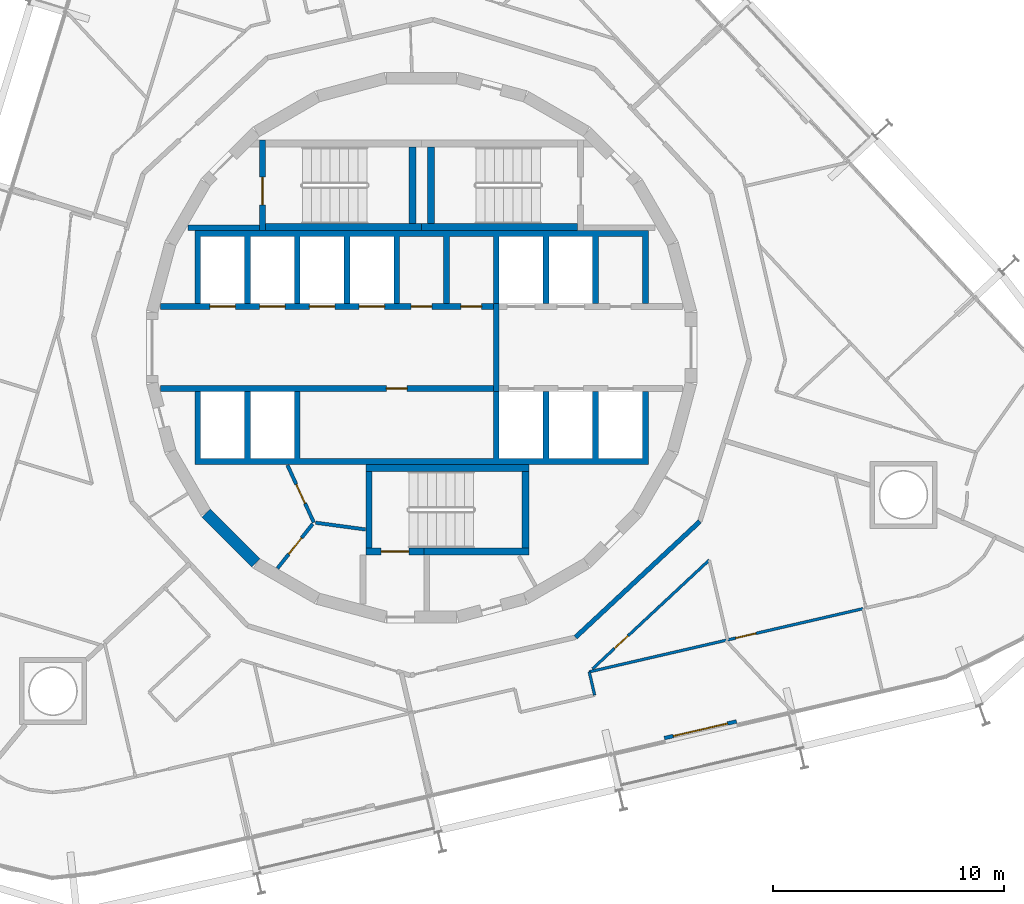
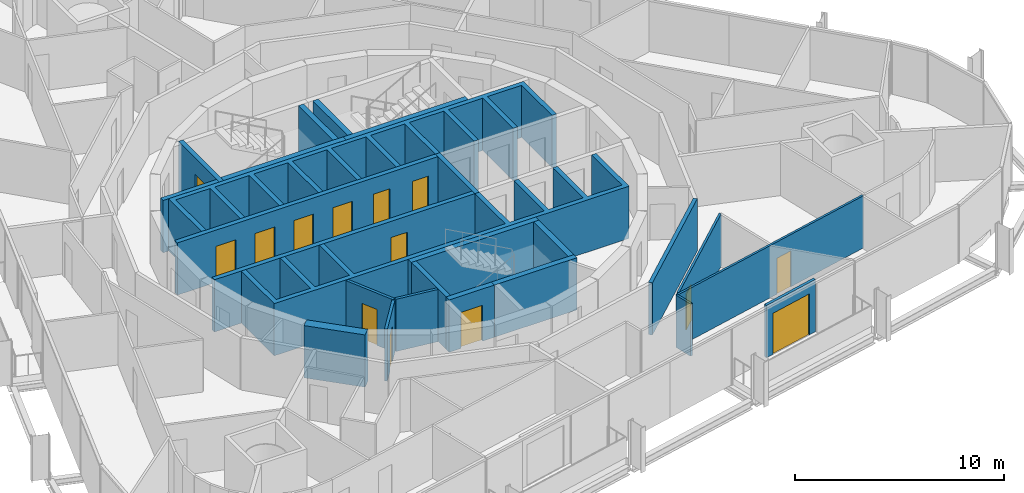
# One storey, part 13 of 18: 25 walls, 14 doors, 14 openings.
"""IFC4 building model written with IfcOpenShell, lengths in metres."""

from ifc_helpers import new_model, si_unit, direction, frame, frame_2d, origin, place, context, subcontext, project, spatial, polyline, rectangle, outline, extrude, material, layer, layer_set, type_object, element, fill, save


model = new_model("IFC4")

# Units and contexts
model_context = context("Model", 3, precision=1e-05, world=origin(), true_north=direction((0.0, 1.0)))
body_context = subcontext(model_context, "Body", "Model", "MODEL_VIEW")
ifc_project = project(units=[si_unit("LENGTHUNIT", "METRE"), si_unit("AREAUNIT", "SQUARE_METRE"), si_unit("VOLUMEUNIT", "CUBIC_METRE"), si_unit("PLANEANGLEUNIT", "RADIAN"), si_unit("MASSUNIT", "GRAM", prefix="KILO")], contexts=[model_context])

# Site, building, storey
site_placement = place(None, origin())
site = spatial("IfcSite", under=ifc_project, at=site_placement, CompositionType="ELEMENT")
building_placement = place(site_placement, origin())
building = spatial("IfcBuilding", under=site, at=building_placement, Name="Spindle Arch Residences", CompositionType="ELEMENT")
storey_placement = place(building_placement, frame((0.0, 0.0, 141.39990234375)))
storey = spatial("IfcBuildingStorey", under=building, at=storey_placement, Name="L35", CompositionType="ELEMENT", Elevation=141.39990234375)

# Walls
ifc_material_1 = material(Name="Concrete C50/60", Category="concrete")
ifc_layer_1 = layer(ifc_material_1, 0.5)
ifc_layer_set_1 = layer_set([ifc_layer_1], Name="Core outline wall 500")
wall_type_1 = type_object("IfcWallType", Name="Core outline wall 500", PredefinedType="SHEAR", material=ifc_layer_set_1)
wall_1_placement = place(storey_placement, frame((-9.30810546875, -7.163818359375, 0.0), z_axis=(0.0, 0.0, 1.0), x_axis=(0.707106781187, -0.707106781187, 0.0)))
element("IfcWall", 1, at=wall_1_placement, inside=storey, type_object=wall_type_1, Name="Core outline wall 21", PredefinedType="SHEAR", context=body_context, shape_type="SweptSolid", body=[
    extrude(rectangle(XDim=3.032470703125, YDim=0.5, at=frame_2d((1.51611328125, 0.0))), origin(), (0.0, 0.0, 1.0), 3.050048828125),
])
ifc_material_2 = material(Name="Calcium silicate block, plastered")
ifc_layer_2 = layer(ifc_material_2, 0.199951171875)
ifc_layer_set_2 = layer_set([ifc_layer_2], Name="Corridor wall 200")
wall_type_2 = type_object("IfcWallType", Name="Corridor wall 200", PredefinedType="STANDARD", material=ifc_layer_set_2)
wall_2_placement = place(storey_placement, frame((6.65869140625, -12.523193359375, 0.0), z_axis=(0.0, 0.0, 1.0), x_axis=(0.731350455479, 0.682001841105, 0.0)))
element("IfcWall", 2, at=wall_2_placement, inside=storey, type_object=wall_type_2, Name="Corridor wall R3C0-W015", PredefinedType="STANDARD", context=body_context, shape_type="SweptSolid", body=[
    extrude(rectangle(XDim=7.341796875, YDim=0.199951171875, at=frame_2d((3.6708984375, 0.0))), origin(), (0.0, 0.0, 1.0), 3.050048828125),
])
ifc_material_3 = material(Name="Concrete C40/50", Category="concrete")
ifc_layer_3 = layer(ifc_material_3, 0.25)
ifc_layer_set_3 = layer_set([ifc_layer_3], Name="Fire-lift lobby wall 250")
wall_type_3 = type_object("IfcWallType", Name="Fire-lift lobby wall 250", PredefinedType="SHEAR", material=ifc_layer_set_3)
wall_3_placement = place(storey_placement, frame((3.22509765625, -1.89990234375, 0.0), z_axis=(0.0, 0.0, 1.0), x_axis=(0.0, 1.0, 0.0)))
element("IfcWall", 3, at=wall_3_placement, inside=storey, type_object=wall_type_3, Name="Fire-fighting lobby partition", PredefinedType="SHEAR", context=body_context, shape_type="SweptSolid", body=[
    extrude(rectangle(XDim=3.7998046875, YDim=0.25, at=frame_2d((1.89990234375, 0.0))), origin(), (0.0, 0.0, 1.0), 3.050048828125),
])
ifc_material_4 = material(Name="Plasterboard on steel studs", Category="steel")
ifc_layer_4 = layer(ifc_material_4, 0.1201171875)
ifc_layer_set_4 = layer_set([ifc_layer_4], Name="Flat partition 120")
wall_type_4 = type_object("IfcWallType", Name="Flat partition 120", PredefinedType="PARTITIONING", material=ifc_layer_set_4)
wall_4_placement = place(storey_placement, frame((7.480712890625, -15.0224609375, 0.0), z_axis=(0.0, 0.0, 1.0), x_axis=(-0.225084689316, 0.974339203068, 0.0)))
element("IfcWall", 4, at=wall_4_placement, inside=storey, type_object=wall_type_4, Name="Flat partition R3C0-W104", PredefinedType="PARTITIONING", context=body_context, shape_type="SweptSolid", body=[
    extrude(rectangle(XDim=1.029296875, YDim=0.1201171875, at=frame_2d((0.5146484375, 0.0))), origin(), (0.0, 0.0, 1.0), 3.050048828125),
])

# Wall, opening, door
wall_5_placement = place(storey_placement, frame((7.3876953125, -13.894287109375, 0.0), z_axis=(0.0, 0.0, 1.0), x_axis=(0.731339966659, 0.682013088707, 0.0)))
wall_5 = element("IfcWall", 5, at=wall_5_placement, inside=storey, type_object=wall_type_4, Name="Flat partition R3C0-W105", PredefinedType="PARTITIONING", context=body_context, shape_type="SweptSolid", body=[
    extrude(rectangle(XDim=6.8994140625, YDim=0.1201171875, at=frame_2d((3.44970703125, 0.0))), origin(), (0.0, 0.0, 1.0), 3.050048828125),
])
opening_1_placement = place(wall_5_placement, frame((1.300048828125, 0.0, 0.0)))
opening_1 = element("IfcOpeningElement", 6, at=opening_1_placement, cuts=wall_5, Name="Opening R3C0-BD06", PredefinedType="OPENING", context=body_context, shape_type="SweptSolid", body=[
    extrude(rectangle(XDim=0.800048828125, YDim=2.10009765625, at=frame_2d((0.39990234375, 1.050048828125))), frame((0.0, 0.070068359375, 0.0), z_axis=(0.0, -1.0, 0.0), x_axis=(1.0, 0.0, 0.0)), (0.0, 0.0, 1.0), 0.14013671875),
])
ifc_material_5 = material(Name="Timber door set", Category="wood")
door_type_1 = type_object("IfcDoorType", Name="Bathroom door 800x2100", OperationType="NOTDEFINED", PredefinedType="DOOR", material=ifc_material_5)
door_1_placement = place(opening_1_placement, origin())
door_1 = element("IfcDoor", 7, at=door_1_placement, inside=storey, type_object=door_type_1, Name="Bathroom door R3C0-BD06", OperationType="SINGLE_SWING_RIGHT", OverallHeight=2.10009765625, OverallWidth=0.800048828125, PredefinedType="DOOR", context=body_context, shape_type="SweptSolid", body=[
    extrude(rectangle(XDim=0.800048828125, YDim=2.10009765625, at=frame_2d((0.39990234375, 1.050048828125))), frame((0.0, 0.02490234375, 0.0), z_axis=(0.0, -1.0, 0.0), x_axis=(1.0, 0.0, 0.0)), (0.0, 0.0, 1.0), 0.050048828125),
])
fill(opening_1, door_1)

wall_6_placement = place(storey_placement, frame((7.2490234375, -14.01953125, 0.0), z_axis=(0.0, 0.0, 1.0), x_axis=(0.974369514697, 0.224953437023, 0.0)))
wall_6 = element("IfcWall", 8, at=wall_6_placement, inside=storey, type_object=wall_type_4, Name="Flat partition R3C0-W107", PredefinedType="PARTITIONING", context=body_context, shape_type="SweptSolid", body=[
    extrude(rectangle(XDim=12.148681640625, YDim=0.1201171875, at=frame_2d((6.07421875, 0.0))), origin(), (0.0, 0.0, 1.0), 3.050048828125),
])
opening_2_placement = place(wall_6_placement, frame((6.498291015625, 0.0, 0.0)))
opening_2 = element("IfcOpeningElement", 9, at=opening_2_placement, cuts=wall_6, Name="Opening R3C0-ID28", PredefinedType="OPENING", context=body_context, shape_type="SweptSolid", body=[
    extrude(rectangle(XDim=0.89990234375, YDim=2.10009765625, at=frame_2d((0.449951171875, 1.050048828125))), frame((0.0, 0.070068359375, 0.0), z_axis=(0.0, -1.0, 0.0), x_axis=(1.0, 0.0, 0.0)), (0.0, 0.0, 1.0), 0.14013671875),
])
ifc_material_6 = material(Name="Timber door set", Category="wood")
door_type_2 = type_object("IfcDoorType", Name="Room door 900x2100", OperationType="NOTDEFINED", PredefinedType="DOOR", material=ifc_material_6)
door_2_placement = place(opening_2_placement, origin())
door_2 = element("IfcDoor", 10, at=door_2_placement, inside=storey, type_object=door_type_2, Name="Room door R3C0-ID28", OperationType="SINGLE_SWING_RIGHT", OverallHeight=2.10009765625, OverallWidth=0.89990234375, PredefinedType="DOOR", context=body_context, shape_type="SweptSolid", body=[
    extrude(rectangle(XDim=0.89990234375, YDim=2.10009765625, at=frame_2d((0.449951171875, 1.050048828125))), frame((0.0, 0.02490234375, 0.0), z_axis=(0.0, -1.0, 0.0), x_axis=(1.0, 0.0, 0.0)), (0.0, 0.0, 1.0), 0.050048828125),
])
fill(opening_2, door_2)

ifc_material_7 = material(Name="Non-combustible mineral wool insulated aluminium faced external wall (K0)", Category="aluminium")
ifc_layer_5 = layer(ifc_material_7, 0.159912109375)
ifc_layer_set_5 = layer_set([ifc_layer_5], Name="Insulated external wall panel 160")
wall_type_5 = type_object("IfcWallType", Name="Insulated external wall panel 160", PredefinedType="STANDARD", material=ifc_layer_set_5)
wall_7_placement = place(storey_placement, frame((10.495849609375, -16.882568359375, 0.0), z_axis=(0.0, 0.0, 1.0), x_axis=(0.974364187477, 0.224976510247, 0.0)))
wall_7 = element("IfcWall", 11, at=wall_7_placement, inside=storey, type_object=wall_type_5, Name="External wall L35 bay 1", PredefinedType="STANDARD", context=body_context, shape_type="SweptSolid", body=[
    extrude(rectangle(XDim=3.2001953125, YDim=0.159912109375, at=frame_2d((1.60009765625, 0.0))), origin(), (0.0, 0.0, 1.0), 3.050048828125),
])
opening_3_placement = place(wall_7_placement, frame((0.39990234375, 0.0, 0.0)))
opening_3 = element("IfcOpeningElement", 12, at=opening_3_placement, cuts=wall_7, Name="Opening BD01", PredefinedType="OPENING", context=body_context, shape_type="SweptSolid", body=[
    extrude(rectangle(XDim=2.39990234375, YDim=2.39990234375, at=frame_2d((1.199951171875, 1.199951171875))), frame((0.0, 0.08984375, 0.0), z_axis=(0.0, -1.0, 0.0), x_axis=(1.0, 0.0, 0.0)), (0.0, 0.0, 1.0), 0.179931640625),
])
ifc_material_8 = material(Name="Bronze aluminium frame, tinted double glazing", Category="aluminium")
door_type_3 = type_object("IfcDoorType", Name="Sliding glazed balcony door 2400x2400", OperationType="DOUBLE_DOOR_SLIDING", PredefinedType="DOOR", material=ifc_material_8)
door_3_placement = place(opening_3_placement, origin())
door_3 = element("IfcDoor", 13, at=door_3_placement, inside=storey, type_object=door_type_3, Name="Balcony door BD01", OperationType="DOUBLE_DOOR_SLIDING", OverallHeight=2.39990234375, OverallWidth=2.39990234375, PredefinedType="DOOR", context=body_context, shape_type="SweptSolid", body=[
    extrude(rectangle(XDim=2.39990234375, YDim=2.39990234375, at=frame_2d((1.199951171875, 1.199951171875))), frame((0.0, 0.02490234375, 0.0), z_axis=(0.0, -1.0, 0.0), x_axis=(1.0, 0.0, 0.0)), (0.0, 0.0, 1.0), 0.050048828125),
])
fill(opening_3, door_3)

# Wall, openings, doors
ifc_material_9 = material(Name="Concrete C50/60", Category="concrete")
ifc_layer_6 = layer(ifc_material_9, 0.25)
ifc_layer_set_6 = layer_set([ifc_layer_6], Name="Lift shaft wall 250")
wall_type_6 = type_object("IfcWallType", Name="Lift shaft wall 250", PredefinedType="SHEAR", material=ifc_layer_set_6)
wall_8_placement = place(storey_placement, frame((-11.280029296875, 1.77490234375, 0.0), z_axis=(0.0, 0.0, 1.0), x_axis=(1.0, 0.0, 0.0)))
wall_8 = element("IfcWall", 14, at=wall_8_placement, inside=storey, type_object=wall_type_6, Name="Lift shaft front wall NW", PredefinedType="SHEAR", context=body_context, shape_type="SweptSolid", body=[
    extrude(rectangle(XDim=14.380126953125, YDim=0.25, at=frame_2d((7.18994140625, 0.0))), origin(), (0.0, 0.0, 1.0), 3.050048828125),
])
opening_4_placement = place(wall_8_placement, frame((2.1298828125, 0.0, 0.0)))
opening_4 = element("IfcOpeningElement", 15, at=opening_4_placement, cuts=wall_8, Name="Opening R3C0-LD01", PredefinedType="OPENING", context=body_context, shape_type="SweptSolid", body=[
    extrude(rectangle(XDim=1.10009765625, YDim=2.10009765625, at=frame_2d((0.550048828125, 1.050048828125))), frame((0.0, 0.135009765625, 0.0), z_axis=(0.0, -1.0, 0.0), x_axis=(1.0, 0.0, 0.0)), (0.0, 0.0, 1.0), 0.27001953125),
])
opening_5_placement = place(wall_8_placement, frame((4.280029296875, 0.0, 0.0)))
opening_5 = element("IfcOpeningElement", 16, at=opening_5_placement, cuts=wall_8, Name="Opening R3C0-LD02", PredefinedType="OPENING", context=body_context, shape_type="SweptSolid", body=[
    extrude(rectangle(XDim=1.10009765625, YDim=2.10009765625, at=frame_2d((0.550048828125, 1.050048828125))), frame((0.0, 0.135009765625, 0.0), z_axis=(0.0, -1.0, 0.0), x_axis=(1.0, 0.0, 0.0)), (0.0, 0.0, 1.0), 0.27001953125),
])
opening_6_placement = place(wall_8_placement, frame((6.429931640625, 0.0, 0.0)))
opening_6 = element("IfcOpeningElement", 17, at=opening_6_placement, cuts=wall_8, Name="Opening R3C0-LD03", PredefinedType="OPENING", context=body_context, shape_type="SweptSolid", body=[
    extrude(rectangle(XDim=1.10009765625, YDim=2.10009765625, at=frame_2d((0.550048828125, 1.050048828125))), frame((0.0, 0.135009765625, 0.0), z_axis=(0.0, -1.0, 0.0), x_axis=(1.0, 0.0, 0.0)), (0.0, 0.0, 1.0), 0.27001953125),
])
opening_7_placement = place(wall_8_placement, frame((8.580078125, 0.0, 0.0)))
opening_7 = element("IfcOpeningElement", 18, at=opening_7_placement, cuts=wall_8, Name="Opening R3C0-LD04", PredefinedType="OPENING", context=body_context, shape_type="SweptSolid", body=[
    extrude(rectangle(XDim=1.10009765625, YDim=2.10009765625, at=frame_2d((0.550048828125, 1.050048828125))), frame((0.0, 0.135009765625, 0.0), z_axis=(0.0, -1.0, 0.0), x_axis=(1.0, 0.0, 0.0)), (0.0, 0.0, 1.0), 0.27001953125),
])
opening_8_placement = place(wall_8_placement, frame((10.830078125, 0.0, 0.0)))
opening_8 = element("IfcOpeningElement", 19, at=opening_8_placement, cuts=wall_8, Name="Opening R3C0-WD01", PredefinedType="OPENING", context=body_context, shape_type="SweptSolid", body=[
    extrude(rectangle(XDim=0.89990234375, YDim=2.10009765625, at=frame_2d((0.449951171875, 1.050048828125))), frame((0.0, 0.135009765625, 0.0), z_axis=(0.0, -1.0, 0.0), x_axis=(1.0, 0.0, 0.0)), (0.0, 0.0, 1.0), 0.27001953125),
])
opening_9_placement = place(wall_8_placement, frame((12.97998046875, 0.0, 0.0)))
opening_9 = element("IfcOpeningElement", 20, at=opening_9_placement, cuts=wall_8, Name="Opening R3C0-WD02", PredefinedType="OPENING", context=body_context, shape_type="SweptSolid", body=[
    extrude(rectangle(XDim=0.89990234375, YDim=2.10009765625, at=frame_2d((0.449951171875, 1.050048828125))), frame((0.0, 0.135009765625, 0.0), z_axis=(0.0, -1.0, 0.0), x_axis=(1.0, 0.0, 0.0)), (0.0, 0.0, 1.0), 0.27001953125),
])
ifc_material_10 = material(Name="Steel, fire-resisting landing door", Category="steel")
door_type_4 = type_object("IfcDoorType", Name="Lift landing door 1100x2100", OperationType="DOUBLE_DOOR_SLIDING", PredefinedType="DOOR", material=ifc_material_10)
door_4_placement = place(opening_4_placement, origin())
door_4 = element("IfcDoor", 21, at=door_4_placement, inside=storey, type_object=door_type_4, Name="Lift landing door R3C0-LD01", OperationType="DOUBLE_DOOR_SLIDING", OverallHeight=2.10009765625, OverallWidth=1.10009765625, PredefinedType="DOOR", context=body_context, shape_type="SweptSolid", body=[
    extrude(rectangle(XDim=1.10009765625, YDim=2.10009765625, at=frame_2d((0.550048828125, 1.050048828125))), frame((0.0, 0.02490234375, 0.0), z_axis=(0.0, -1.0, 0.0), x_axis=(1.0, 0.0, 0.0)), (0.0, 0.0, 1.0), 0.050048828125),
])
fill(opening_4, door_4)
door_5_placement = place(opening_5_placement, origin())
door_5 = element("IfcDoor", 22, at=door_5_placement, inside=storey, type_object=door_type_4, Name="Lift landing door R3C0-LD02", OperationType="DOUBLE_DOOR_SLIDING", OverallHeight=2.10009765625, OverallWidth=1.10009765625, PredefinedType="DOOR", context=body_context, shape_type="SweptSolid", body=[
    extrude(rectangle(XDim=1.10009765625, YDim=2.10009765625, at=frame_2d((0.550048828125, 1.050048828125))), frame((0.0, 0.02490234375, 0.0), z_axis=(0.0, -1.0, 0.0), x_axis=(1.0, 0.0, 0.0)), (0.0, 0.0, 1.0), 0.050048828125),
])
fill(opening_5, door_5)
door_6_placement = place(opening_6_placement, origin())
door_6 = element("IfcDoor", 23, at=door_6_placement, inside=storey, type_object=door_type_4, Name="Lift landing door R3C0-LD03", OperationType="DOUBLE_DOOR_SLIDING", OverallHeight=2.10009765625, OverallWidth=1.10009765625, PredefinedType="DOOR", context=body_context, shape_type="SweptSolid", body=[
    extrude(rectangle(XDim=1.10009765625, YDim=2.10009765625, at=frame_2d((0.550048828125, 1.050048828125))), frame((0.0, 0.02490234375, 0.0), z_axis=(0.0, -1.0, 0.0), x_axis=(1.0, 0.0, 0.0)), (0.0, 0.0, 1.0), 0.050048828125),
])
fill(opening_6, door_6)
door_7_placement = place(opening_7_placement, origin())
door_7 = element("IfcDoor", 24, at=door_7_placement, inside=storey, type_object=door_type_4, Name="Lift landing door R3C0-LD04", OperationType="DOUBLE_DOOR_SLIDING", OverallHeight=2.10009765625, OverallWidth=1.10009765625, PredefinedType="DOOR", context=body_context, shape_type="SweptSolid", body=[
    extrude(rectangle(XDim=1.10009765625, YDim=2.10009765625, at=frame_2d((0.550048828125, 1.050048828125))), frame((0.0, 0.02490234375, 0.0), z_axis=(0.0, -1.0, 0.0), x_axis=(1.0, 0.0, 0.0)), (0.0, 0.0, 1.0), 0.050048828125),
])
fill(opening_7, door_7)
ifc_material_11 = material(Name="Steel, fire-resisting door", Category="steel")
door_type_5 = type_object("IfcDoorType", Name="Service room door 900x2100", OperationType="SINGLE_SWING_LEFT", PredefinedType="DOOR", material=ifc_material_11)
door_8_placement = place(opening_8_placement, origin())
door_8 = element("IfcDoor", 25, at=door_8_placement, inside=storey, type_object=door_type_5, Name="Service room door R3C0-WD01", OperationType="SINGLE_SWING_RIGHT", OverallHeight=2.10009765625, OverallWidth=0.89990234375, PredefinedType="DOOR", context=body_context, shape_type="SweptSolid", body=[
    extrude(rectangle(XDim=0.89990234375, YDim=2.10009765625, at=frame_2d((0.449951171875, 1.050048828125))), frame((0.0, 0.02490234375, 0.0), z_axis=(0.0, -1.0, 0.0), x_axis=(1.0, 0.0, 0.0)), (0.0, 0.0, 1.0), 0.050048828125),
])
fill(opening_8, door_8)
door_9_placement = place(opening_9_placement, origin())
door_9 = element("IfcDoor", 26, at=door_9_placement, inside=storey, type_object=door_type_5, Name="Service room door R3C0-WD02", OperationType="SINGLE_SWING_LEFT", OverallHeight=2.10009765625, OverallWidth=0.89990234375, PredefinedType="DOOR", context=body_context, shape_type="SweptSolid", body=[
    extrude(rectangle(XDim=0.89990234375, YDim=2.10009765625, at=frame_2d((0.449951171875, 1.050048828125))), frame((0.0, 0.02490234375, 0.0), z_axis=(0.0, -1.0, 0.0), x_axis=(1.0, 0.0, 0.0)), (0.0, 0.0, 1.0), 0.050048828125),
])
fill(opening_9, door_9)

# Wall, opening, door
wall_9_placement = place(storey_placement, frame((-11.280029296875, -1.77490234375, 0.0), z_axis=(0.0, 0.0, 1.0), x_axis=(1.0, 0.0, 0.0)))
wall_9 = element("IfcWall", 27, at=wall_9_placement, inside=storey, type_object=wall_type_6, Name="Lift shaft front wall SW", PredefinedType="SHEAR", context=body_context, shape_type="SweptSolid", body=[
    extrude(rectangle(XDim=14.380126953125, YDim=0.25, at=frame_2d((7.18994140625, 0.0))), origin(), (0.0, 0.0, 1.0), 3.050048828125),
])
opening_10_placement = place(wall_9_placement, frame((9.7548828125, 0.0, 0.0)))
opening_10 = element("IfcOpeningElement", 28, at=opening_10_placement, cuts=wall_9, Name="Opening R3C0-WD04", PredefinedType="OPENING", context=body_context, shape_type="SweptSolid", body=[
    extrude(rectangle(XDim=0.89990234375, YDim=2.10009765625, at=frame_2d((0.449951171875, 1.050048828125))), frame((0.0, 0.135009765625, 0.0), z_axis=(0.0, -1.0, 0.0), x_axis=(1.0, 0.0, 0.0)), (0.0, 0.0, 1.0), 0.27001953125),
])
door_10_placement = place(opening_10_placement, origin())
door_10 = element("IfcDoor", 29, at=door_10_placement, inside=storey, type_object=door_type_5, Name="Service room door R3C0-WD04", OperationType="SINGLE_SWING_LEFT", OverallHeight=2.10009765625, OverallWidth=0.89990234375, PredefinedType="DOOR", context=body_context, shape_type="SweptSolid", body=[
    extrude(rectangle(XDim=0.89990234375, YDim=2.10009765625, at=frame_2d((0.449951171875, 1.050048828125))), frame((0.0, 0.02490234375, 0.0), z_axis=(0.0, -1.0, 0.0), x_axis=(1.0, 0.0, 0.0)), (0.0, 0.0, 1.0), 0.050048828125),
])
fill(opening_10, door_10)

# Walls
ifc_material_12 = material(Name="Concrete C50/60", Category="concrete")
wall_type_7 = type_object("IfcWallType", Name="Lift shaft wall profile", PredefinedType="SHEAR", material=ifc_material_12)
wall_10_placement = place(storey_placement, origin())
element("IfcWall", 30, at=wall_10_placement, inside=storey, type_object=wall_type_7, Name="Lift shaft walls N", PredefinedType="SHEAR", context=body_context, shape_type="SweptSolid", body=[
    extrude(outline(polyline([(-9.550048828125, 4.800048828125), (-7.64990234375, 4.800048828125), (-7.64990234375, 1.89990234375), (-7.39990234375, 1.89990234375), (-7.39990234375, 4.800048828125), (-5.5, 4.800048828125), (-5.5, 1.89990234375), (-5.25, 1.89990234375), (-5.25, 4.800048828125), (-3.35009765625, 4.800048828125), (-3.35009765625, 1.89990234375), (-3.10009765625, 1.89990234375), (-3.10009765625, 4.800048828125), (-1.199951171875, 4.800048828125), (-1.199951171875, 1.89990234375), (-0.949951171875, 1.89990234375), (-0.949951171875, 4.800048828125), (0.949951171875, 4.800048828125), (0.949951171875, 1.89990234375), (1.199951171875, 1.89990234375), (1.199951171875, 4.800048828125), (3.10009765625, 4.800048828125), (3.10009765625, 1.89990234375), (3.35009765625, 1.89990234375), (3.35009765625, 4.800048828125), (5.25, 4.800048828125), (5.25, 1.89990234375), (5.5, 1.89990234375), (5.5, 4.800048828125), (7.39990234375, 4.800048828125), (7.39990234375, 1.89990234375), (7.64990234375, 1.89990234375), (7.64990234375, 4.800048828125), (9.550048828125, 4.800048828125), (9.550048828125, 1.89990234375), (9.800048828125, 1.89990234375), (9.800048828125, 4.800048828125), (9.800048828125, 5.050048828125), (-9.800048828125, 5.050048828125), (-9.800048828125, 4.800048828125), (-9.800048828125, 1.89990234375), (-9.550048828125, 1.89990234375), (-9.550048828125, 4.800048828125)])), origin(), (0.0, 0.0, 1.0), 3.050048828125),
])
wall_11_placement = place(storey_placement, origin())
element("IfcWall", 31, at=wall_11_placement, inside=storey, type_object=wall_type_7, Name="Lift shaft walls S", PredefinedType="SHEAR", context=body_context, shape_type="SweptSolid", body=[
    extrude(outline(polyline([(9.800048828125, -5.050048828125), (9.800048828125, -4.800048828125), (9.800048828125, -1.89990234375), (9.550048828125, -1.89990234375), (9.550048828125, -4.800048828125), (7.64990234375, -4.800048828125), (7.64990234375, -1.89990234375), (7.39990234375, -1.89990234375), (7.39990234375, -4.800048828125), (5.5, -4.800048828125), (5.5, -1.89990234375), (5.25, -1.89990234375), (5.25, -4.800048828125), (3.35009765625, -4.800048828125), (3.35009765625, -1.89990234375), (3.10009765625, -1.89990234375), (3.10009765625, -4.800048828125), (-5.25, -4.800048828125), (-5.25, -1.89990234375), (-5.5, -1.89990234375), (-5.5, -4.800048828125), (-7.39990234375, -4.800048828125), (-7.39990234375, -1.89990234375), (-7.64990234375, -1.89990234375), (-7.64990234375, -4.800048828125), (-9.550048828125, -4.800048828125), (-9.550048828125, -1.89990234375), (-9.800048828125, -1.89990234375), (-9.800048828125, -4.800048828125), (-9.800048828125, -5.050048828125), (9.800048828125, -5.050048828125)])), origin(), (0.0, 0.0, 1.0), 3.050048828125),
])

# Wall, opening, door
ifc_material_13 = material(Name="Concrete C25/30", Category="concrete")
ifc_layer_7 = layer(ifc_material_13, 0.14990234375)
ifc_layer_set_7 = layer_set([ifc_layer_7], Name="Service room partition 150")
wall_type_8 = type_object("IfcWallType", Name="Service room partition 150", PredefinedType="PARTITIONING", material=ifc_layer_set_7)
wall_12_placement = place(storey_placement, frame((-5.794921875, -5.086181640625, 0.0), z_axis=(0.0, 0.0, 1.0), x_axis=(0.417887867606, -0.908498613157, 0.0)))
wall_12 = element("IfcWall", 32, at=wall_12_placement, inside=storey, type_object=wall_type_8, Name="Core service room partition", PredefinedType="PARTITIONING", context=body_context, shape_type="SweptSolid", body=[
    extrude(rectangle(XDim=2.72607421875, YDim=0.14990234375, at=frame_2d((1.363037109375, 0.0))), origin(), (0.0, 0.0, 1.0), 3.050048828125),
])
opening_11_placement = place(wall_12_placement, frame((0.912841796875, 0.0, 0.0)))
opening_11 = element("IfcOpeningElement", 33, at=opening_11_placement, cuts=wall_12, Name="Opening R3C0-WD05", PredefinedType="OPENING", context=body_context, shape_type="SweptSolid", body=[
    extrude(rectangle(XDim=0.89990234375, YDim=2.10009765625, at=frame_2d((0.449951171875, 1.050048828125))), frame((0.0, 0.0849609375, 0.0), z_axis=(0.0, -1.0, 0.0), x_axis=(1.0, 0.0, 0.0)), (0.0, 0.0, 1.0), 0.169921875),
])
door_11_placement = place(opening_11_placement, origin())
door_11 = element("IfcDoor", 34, at=door_11_placement, inside=storey, type_object=door_type_5, Name="Service room door R3C0-WD05", OperationType="SINGLE_SWING_RIGHT", OverallHeight=2.10009765625, OverallWidth=0.89990234375, PredefinedType="DOOR", context=body_context, shape_type="SweptSolid", body=[
    extrude(rectangle(XDim=0.89990234375, YDim=2.10009765625, at=frame_2d((0.449951171875, 1.050048828125))), frame((0.0, 0.02490234375, 0.0), z_axis=(0.0, -1.0, 0.0), x_axis=(1.0, 0.0, 0.0)), (0.0, 0.0, 1.0), 0.050048828125),
])
fill(opening_11, door_11)

wall_13_placement = place(storey_placement, frame((-4.70556640625, -7.62548828125, 0.0), z_axis=(0.0, 0.0, 1.0), x_axis=(-0.621392599334, -0.783499353856, 0.0)))
wall_13 = element("IfcWall", 35, at=wall_13_placement, inside=storey, type_object=wall_type_8, Name="Core service room partition", PredefinedType="PARTITIONING", context=body_context, shape_type="SweptSolid", body=[
    extrude(rectangle(XDim=2.447265625, YDim=0.14990234375, at=frame_2d((1.2236328125, 0.0))), origin(), (0.0, 0.0, 1.0), 3.050048828125),
])
opening_12_placement = place(wall_13_placement, frame((0.773681640625, 0.0, 0.0)))
opening_12 = element("IfcOpeningElement", 36, at=opening_12_placement, cuts=wall_13, Name="Opening R3C0-WD06", PredefinedType="OPENING", context=body_context, shape_type="SweptSolid", body=[
    extrude(rectangle(XDim=0.89990234375, YDim=2.10009765625, at=frame_2d((0.449951171875, 1.050048828125))), frame((0.0, 0.0849609375, 0.0), z_axis=(0.0, -1.0, 0.0), x_axis=(1.0, 0.0, 0.0)), (0.0, 0.0, 1.0), 0.169921875),
])
door_12_placement = place(opening_12_placement, origin())
door_12 = element("IfcDoor", 37, at=door_12_placement, inside=storey, type_object=door_type_5, Name="Service room door R3C0-WD06", OperationType="SINGLE_SWING_LEFT", OverallHeight=2.10009765625, OverallWidth=0.89990234375, PredefinedType="DOOR", context=body_context, shape_type="SweptSolid", body=[
    extrude(rectangle(XDim=0.89990234375, YDim=2.10009765625, at=frame_2d((0.449951171875, 1.050048828125))), frame((0.0, 0.02490234375, 0.0), z_axis=(0.0, -1.0, 0.0), x_axis=(1.0, 0.0, 0.0)), (0.0, 0.0, 1.0), 0.050048828125),
])
fill(opening_12, door_12)

# Walls
wall_14_placement = place(storey_placement, frame((-2.419921875, -7.865234375, 0.0), z_axis=(0.0, 0.0, 1.0), x_axis=(-0.990972299108, 0.134066783362, 0.0)))
element("IfcWall", 38, at=wall_14_placement, inside=storey, type_object=wall_type_8, Name="Core service room partition", PredefinedType="PARTITIONING", context=body_context, shape_type="SweptSolid", body=[
    extrude(rectangle(XDim=2.176025390625, YDim=0.14990234375, at=frame_2d((1.087890625, 0.0))), origin(), (0.0, 0.0, 1.0), 3.050048828125),
])
ifc_material_14 = material(Name="Concrete C40/50", Category="concrete")
ifc_layer_8 = layer(ifc_material_14, 0.25)
ifc_layer_set_8 = layer_set([ifc_layer_8], Name="Stair airlock wall 250")
wall_type_9 = type_object("IfcWallType", Name="Stair airlock wall 250", PredefinedType="SHEAR", material=ifc_layer_set_8)
wall_15_placement = place(storey_placement, frame((-7.0, 5.175048828125, 0.0), z_axis=(0.0, 0.0, 1.0), x_axis=(-1.0, 0.0, 0.0)))
element("IfcWall", 39, at=wall_15_placement, inside=storey, type_object=wall_type_9, Name="Stair ST-2 airlock wall S", PredefinedType="SHEAR", context=body_context, shape_type="SweptSolid", body=[
    extrude(rectangle(XDim=3.10009765625, YDim=0.25, at=frame_2d((1.550048828125, 0.0))), origin(), (0.0, 0.0, 1.0), 3.050048828125),
])

# Wall, opening, door
ifc_material_15 = material(Name="Concrete C50/60", Category="concrete")
ifc_layer_9 = layer(ifc_material_15, 0.25)
ifc_layer_set_9 = layer_set([ifc_layer_9], Name="Stair enclosure wall 250")
wall_type_10 = type_object("IfcWallType", Name="Stair enclosure wall 250", PredefinedType="SHEAR", material=ifc_layer_set_9)
wall_16_placement = place(storey_placement, frame((-6.875, 8.969970703125, 0.0), z_axis=(0.0, 0.0, 1.0), x_axis=(0.0, -1.0, 0.0)))
wall_16 = element("IfcWall", 40, at=wall_16_placement, inside=storey, type_object=wall_type_10, Name="Stair ST-2 door wall", PredefinedType="SHEAR", context=body_context, shape_type="SweptSolid", body=[
    extrude(rectangle(XDim=3.919921875, YDim=0.25, at=frame_2d((1.9599609375, 0.0))), origin(), (0.0, 0.0, 1.0), 3.050048828125),
])
opening_13_placement = place(wall_16_placement, frame((1.610107421875, 0.0, 0.0)))
opening_13 = element("IfcOpeningElement", 41, at=opening_13_placement, cuts=wall_16, Name="Opening R3C0-SD02", PredefinedType="OPENING", context=body_context, shape_type="SweptSolid", body=[
    extrude(rectangle(XDim=1.199951171875, YDim=2.10009765625, at=frame_2d((0.60009765625, 1.050048828125))), frame((0.0, 0.135009765625, 0.0), z_axis=(0.0, -1.0, 0.0), x_axis=(1.0, 0.0, 0.0)), (0.0, 0.0, 1.0), 0.27001953125),
])
ifc_material_16 = material(Name="Steel, fire-resisting door", Category="steel")
door_type_6 = type_object("IfcDoorType", Name="Stair door 1200x2100", OperationType="SINGLE_SWING_RIGHT", PredefinedType="DOOR", material=ifc_material_16)
door_13_placement = place(opening_13_placement, origin())
door_13 = element("IfcDoor", 42, at=door_13_placement, inside=storey, type_object=door_type_6, Name="Stair door R3C0-SD02", OperationType="SINGLE_SWING_LEFT", OverallHeight=2.10009765625, OverallWidth=1.199951171875, PredefinedType="DOOR", context=body_context, shape_type="SweptSolid", body=[
    extrude(rectangle(XDim=1.199951171875, YDim=2.10009765625, at=frame_2d((0.60009765625, 1.050048828125))), frame((0.0, 0.02490234375, 0.0), z_axis=(0.0, -1.0, 0.0), x_axis=(1.0, 0.0, 0.0)), (0.0, 0.0, 1.0), 0.050048828125),
])
fill(opening_13, door_13)

# Walls
wall_17_placement = place(storey_placement, frame((-2.27490234375, -8.669921875, 0.0), z_axis=(0.0, 0.0, 1.0), x_axis=(0.0, 1.0, 0.0)))
element("IfcWall", 43, at=wall_17_placement, inside=storey, type_object=wall_type_10, Name="Stair ST-3 enclosure wall W", PredefinedType="SHEAR", context=body_context, shape_type="SweptSolid", body=[
    extrude(rectangle(XDim=3.31982421875, YDim=0.25, at=frame_2d((1.659912109375, 0.0))), origin(), (0.0, 0.0, 1.0), 3.050048828125),
])
ifc_material_17 = material(Name="Concrete C50/60", Category="concrete")
ifc_layer_10 = layer(ifc_material_17, 0.300048828125)
ifc_layer_set_10 = layer_set([ifc_layer_10], Name="Stair enclosure wall 300")
wall_type_11 = type_object("IfcWallType", Name="Stair enclosure wall 300", PredefinedType="SHEAR", material=ifc_layer_set_10)
wall_18_placement = place(storey_placement, frame((0.0, 5.199951171875, 0.0), z_axis=(0.0, 0.0, 1.0), x_axis=(1.0, 0.0, 0.0)))
element("IfcWall", 44, at=wall_18_placement, inside=storey, type_object=wall_type_11, Name="Stair ST-1 enclosure wall S", PredefinedType="SHEAR", context=body_context, shape_type="SweptSolid", body=[
    extrude(rectangle(XDim=6.75, YDim=0.300048828125, at=frame_2d((3.375, 0.0))), origin(), (0.0, 0.0, 1.0), 3.050048828125),
])
wall_19_placement = place(storey_placement, frame((0.39990234375, 5.35009765625, 0.0), z_axis=(0.0, 0.0, 1.0), x_axis=(0.0, 1.0, 0.0)))
element("IfcWall", 45, at=wall_19_placement, inside=storey, type_object=wall_type_11, Name="Stair ST-1 enclosure wall F", PredefinedType="SHEAR", context=body_context, shape_type="SweptSolid", body=[
    extrude(rectangle(XDim=3.31982421875, YDim=0.300048828125, at=frame_2d((1.659912109375, 0.0))), origin(), (0.0, 0.0, 1.0), 3.050048828125),
])
wall_20_placement = place(storey_placement, frame((-6.75, 5.199951171875, 0.0), z_axis=(0.0, 0.0, 1.0), x_axis=(1.0, 0.0, 0.0)))
element("IfcWall", 46, at=wall_20_placement, inside=storey, type_object=wall_type_11, Name="Stair ST-2 enclosure wall S", PredefinedType="SHEAR", context=body_context, shape_type="SweptSolid", body=[
    extrude(rectangle(XDim=6.75, YDim=0.300048828125, at=frame_2d((3.375, 0.0))), origin(), (0.0, 0.0, 1.0), 3.050048828125),
])
wall_21_placement = place(storey_placement, frame((-0.39990234375, 5.35009765625, 0.0), z_axis=(0.0, 0.0, 1.0), x_axis=(0.0, 1.0, 0.0)))
element("IfcWall", 47, at=wall_21_placement, inside=storey, type_object=wall_type_11, Name="Stair ST-2 enclosure wall F", PredefinedType="SHEAR", context=body_context, shape_type="SweptSolid", body=[
    extrude(rectangle(XDim=3.31982421875, YDim=0.300048828125, at=frame_2d((1.659912109375, 0.0))), origin(), (0.0, 0.0, 1.0), 3.050048828125),
])
wall_22_placement = place(storey_placement, frame((-2.39990234375, -5.199951171875, 0.0), z_axis=(0.0, 0.0, 1.0), x_axis=(1.0, 0.0, 0.0)))
element("IfcWall", 48, at=wall_22_placement, inside=storey, type_object=wall_type_11, Name="Stair ST-3 enclosure wall N", PredefinedType="SHEAR", context=body_context, shape_type="SweptSolid", body=[
    extrude(rectangle(XDim=7.0498046875, YDim=0.300048828125, at=frame_2d((3.52490234375, 0.0))), origin(), (0.0, 0.0, 1.0), 3.050048828125),
])
wall_23_placement = place(storey_placement, frame((4.5, -8.669921875, 0.0), z_axis=(0.0, 0.0, 1.0), x_axis=(0.0, 1.0, 0.0)))
element("IfcWall", 49, at=wall_23_placement, inside=storey, type_object=wall_type_11, Name="Stair ST-3 enclosure wall E", PredefinedType="SHEAR", context=body_context, shape_type="SweptSolid", body=[
    extrude(rectangle(XDim=3.31982421875, YDim=0.300048828125, at=frame_2d((1.659912109375, 0.0))), origin(), (0.0, 0.0, 1.0), 3.050048828125),
])
wall_24_placement = place(storey_placement, frame((0.10009765625, -8.820068359375, 0.0), z_axis=(0.0, 0.0, 1.0), x_axis=(1.0, 0.0, 0.0)))
element("IfcWall", 50, at=wall_24_placement, inside=storey, type_object=wall_type_11, Name="Stair ST-3 enclosure wall S", PredefinedType="SHEAR", context=body_context, shape_type="SweptSolid", body=[
    extrude(rectangle(XDim=4.5498046875, YDim=0.300048828125, at=frame_2d((2.27490234375, 0.0))), origin(), (0.0, 0.0, 1.0), 3.050048828125),
])

# Wall, opening, door
wall_25_placement = place(storey_placement, frame((-2.39990234375, -8.820068359375, 0.0), z_axis=(0.0, 0.0, 1.0), x_axis=(1.0, 0.0, 0.0)))
wall_25 = element("IfcWall", 51, at=wall_25_placement, inside=storey, type_object=wall_type_11, Name="Stair ST-3 door wall", PredefinedType="SHEAR", context=body_context, shape_type="SweptSolid", body=[
    extrude(rectangle(XDim=2.5, YDim=0.300048828125, at=frame_2d((1.25, 0.0))), origin(), (0.0, 0.0, 1.0), 3.050048828125),
])
opening_14_placement = place(wall_25_placement, frame((0.64990234375, 0.0, 0.0)))
opening_14 = element("IfcOpeningElement", 52, at=opening_14_placement, cuts=wall_25, Name="Opening R3C0-SD03", PredefinedType="OPENING", context=body_context, shape_type="SweptSolid", body=[
    extrude(rectangle(XDim=1.199951171875, YDim=2.10009765625, at=frame_2d((0.60009765625, 1.050048828125))), frame((0.0, 0.16015625, 0.0), z_axis=(0.0, -1.0, 0.0), x_axis=(1.0, 0.0, 0.0)), (0.0, 0.0, 1.0), 0.320068359375),
])
door_14_placement = place(opening_14_placement, origin())
door_14 = element("IfcDoor", 53, at=door_14_placement, inside=storey, type_object=door_type_6, Name="Stair door R3C0-SD03", OperationType="SINGLE_SWING_LEFT", OverallHeight=2.10009765625, OverallWidth=1.199951171875, PredefinedType="DOOR", context=body_context, shape_type="SweptSolid", body=[
    extrude(rectangle(XDim=1.199951171875, YDim=2.10009765625, at=frame_2d((0.60009765625, 1.050048828125))), frame((0.0, 0.02490234375, 0.0), z_axis=(0.0, -1.0, 0.0), x_axis=(1.0, 0.0, 0.0)), (0.0, 0.0, 1.0), 0.050048828125),
])
fill(opening_14, door_14)

save(model, "model.ifc")
